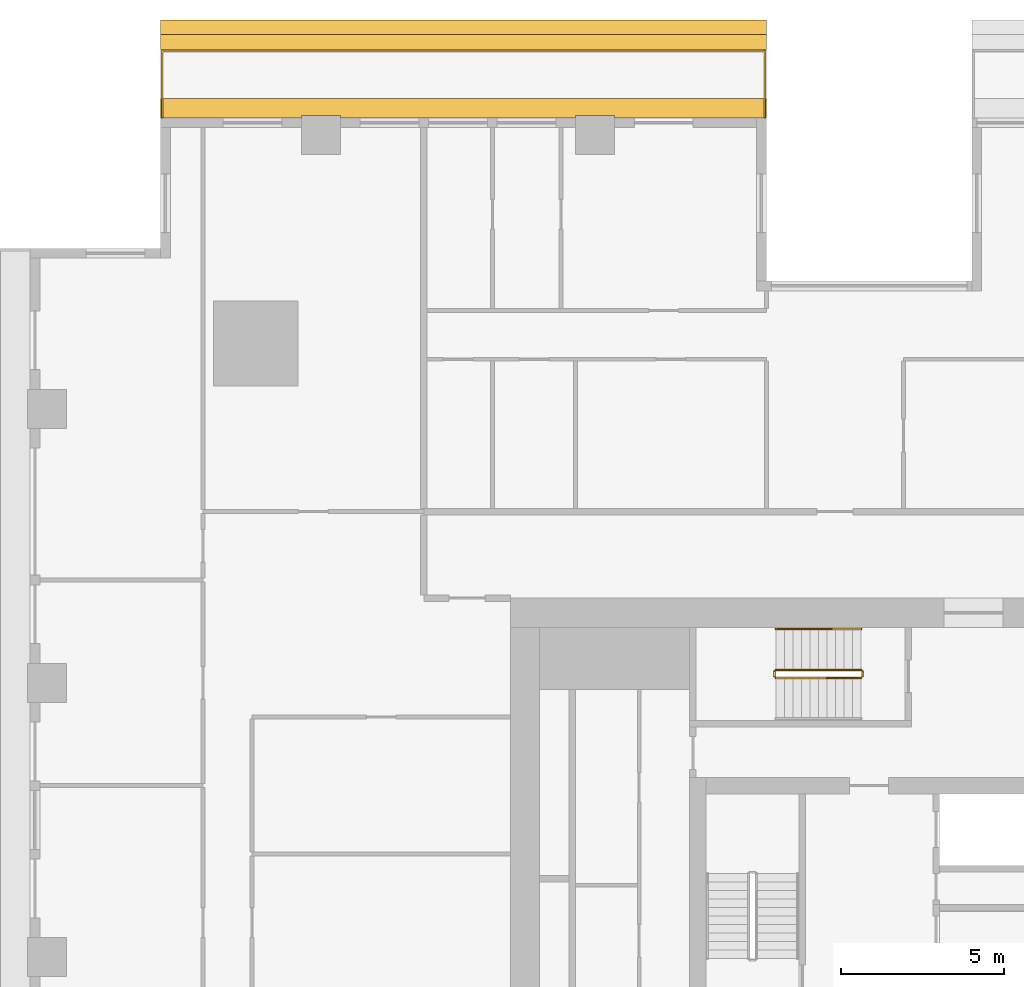
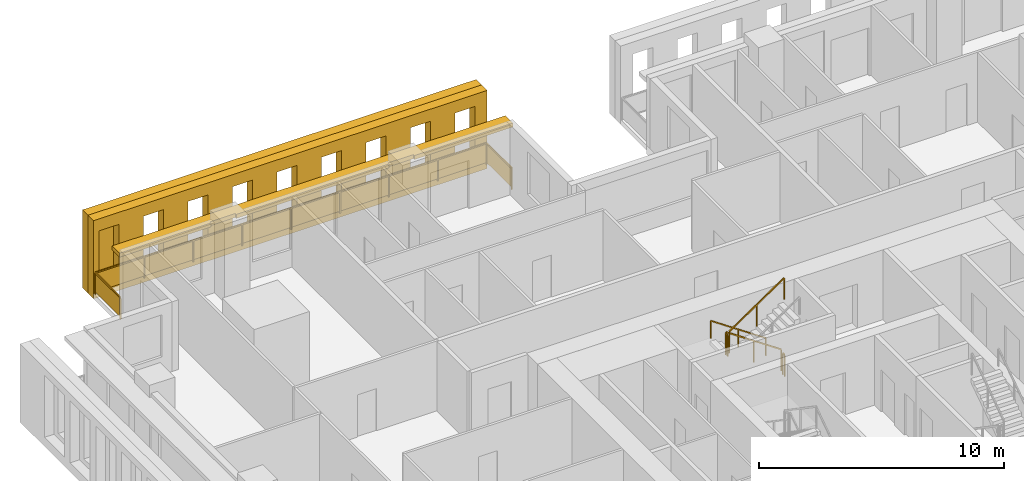
# One storey, part 15 of 16: 6 railings, 3 shading devices.
"""IFC4 building model written with IfcOpenShell, lengths in metres."""

from ifc_helpers import new_model, si_unit, direction, frame, origin, origin_2d, place, context, subcontext, project, spatial, polyline, rectangle, outline, extrude, material, layer, layer_set, type_object, element, save


model = new_model("IFC4")

# Units and contexts
model_context = context("Model", 3, precision=1e-05, world=origin(), true_north=direction((0.0, 1.0)))
body_context = subcontext(model_context, "Body", "Model", "MODEL_VIEW")
ifc_project = project(units=[si_unit("LENGTHUNIT", "METRE"), si_unit("AREAUNIT", "SQUARE_METRE"), si_unit("VOLUMEUNIT", "CUBIC_METRE"), si_unit("PLANEANGLEUNIT", "RADIAN"), si_unit("MASSUNIT", "GRAM", prefix="KILO")], contexts=[model_context])

# Site, building, storey
site_placement = place(None, origin())
site = spatial("IfcSite", under=ifc_project, at=site_placement, CompositionType="ELEMENT")
building_placement = place(site_placement, origin())
building = spatial("IfcBuilding", under=site, at=building_placement, Name="Khepri Terraces", CompositionType="ELEMENT")
storey_placement = place(building_placement, frame((0.0, 0.0, 137.699951171875)))
storey = spatial("IfcBuildingStorey", under=building, at=storey_placement, Name="L32", CompositionType="ELEMENT", Elevation=137.699951171875)

# Railings
ifc_material_1 = material(Name="Stainless steel grade 316", Category="steel")
railing_type_1 = type_object("IfcRailingType", Name="GRD-BAL-1100", PredefinedType="GUARDRAIL", material=ifc_material_1)
railing_1_placement = place(storey_placement, frame((-3.199951171875, 25.719970703125, 0.0)))
element("IfcRailing", 1, at=railing_1_placement, inside=storey, type_object=railing_type_1, Name="Balcony guard L32 N", PredefinedType="GUARDRAIL", context=body_context, shape_type="SweptSolid", body=[
    extrude(rectangle(XDim=0.050048828125, YDim=0.06005859375, at=origin_2d()), frame((0.0, 0.0, 1.070068359375), z_axis=(0.0, 1.0, 0.0), x_axis=(-1.0, 0.0, 0.0)), (0.0, 0.0, 1.0), 2.050048828125),
    extrude(rectangle(XDim=2.0, YDim=0.011962890625, at=origin_2d()), frame((0.0, 1.02490234375, 0.10009765625), z_axis=(0.0, 0.0, 1.0), x_axis=(0.0, 1.0, 0.0)), (0.0, 0.0, 1.0), 0.93994140625),
    extrude(rectangle(XDim=0.050048828125, YDim=0.06005859375, at=origin_2d()), frame((0.0, 2.050048828125, 1.070068359375), z_axis=(-1.0, 0.0, 0.0), x_axis=(0.0, -1.0, 0.0)), (0.0, 0.0, 1.0), 18.469970703125),
    extrude(rectangle(XDim=2.2587890625, YDim=0.011962890625, at=origin_2d()), frame((-1.154296875, 2.050048828125, 0.10009765625), z_axis=(0.0, 0.0, 1.0), x_axis=(-1.0, 0.0, 0.0)), (0.0, 0.0, 1.0), 0.93994140625),
    extrude(rectangle(XDim=2.2587890625, YDim=0.011962890625, at=origin_2d()), frame((-3.463134765625, 2.050048828125, 0.10009765625), z_axis=(0.0, 0.0, 1.0), x_axis=(-1.0, 0.0, 0.0)), (0.0, 0.0, 1.0), 0.93994140625),
    extrude(rectangle(XDim=2.2587890625, YDim=0.011962890625, at=origin_2d()), frame((-5.77197265625, 2.050048828125, 0.10009765625), z_axis=(0.0, 0.0, 1.0), x_axis=(-1.0, 0.0, 0.0)), (0.0, 0.0, 1.0), 0.93994140625),
    extrude(rectangle(XDim=2.2587890625, YDim=0.011962890625, at=origin_2d()), frame((-8.08056640625, 2.050048828125, 0.10009765625), z_axis=(0.0, 0.0, 1.0), x_axis=(-1.0, 0.0, 0.0)), (0.0, 0.0, 1.0), 0.93994140625),
    extrude(rectangle(XDim=2.2587890625, YDim=0.011962890625, at=origin_2d()), frame((-10.389404296875, 2.050048828125, 0.10009765625), z_axis=(0.0, 0.0, 1.0), x_axis=(-1.0, 0.0, 0.0)), (0.0, 0.0, 1.0), 0.93994140625),
    extrude(rectangle(XDim=2.2587890625, YDim=0.011962890625, at=origin_2d()), frame((-12.697998046875, 2.050048828125, 0.10009765625), z_axis=(0.0, 0.0, 1.0), x_axis=(-1.0, 0.0, 0.0)), (0.0, 0.0, 1.0), 0.93994140625),
    extrude(rectangle(XDim=2.2587890625, YDim=0.011962890625, at=origin_2d()), frame((-15.0068359375, 2.050048828125, 0.10009765625), z_axis=(0.0, 0.0, 1.0), x_axis=(-1.0, 0.0, 0.0)), (0.0, 0.0, 1.0), 0.93994140625),
    extrude(rectangle(XDim=2.2587890625, YDim=0.011962890625, at=origin_2d()), frame((-17.315673828125, 2.050048828125, 0.10009765625), z_axis=(0.0, 0.0, 1.0), x_axis=(-1.0, 0.0, 0.0)), (0.0, 0.0, 1.0), 0.93994140625),
    extrude(rectangle(XDim=0.050048828125, YDim=0.06005859375, at=origin_2d()), frame((-18.469970703125, 2.050048828125, 1.070068359375), z_axis=(0.0, -1.0, 0.0), x_axis=(1.0, 0.0, 0.0)), (0.0, 0.0, 1.0), 2.050048828125),
    extrude(rectangle(XDim=2.0, YDim=0.011962890625, at=origin_2d()), frame((-18.469970703125, 1.02490234375, 0.10009765625), z_axis=(0.0, 0.0, 1.0), x_axis=(0.0, -1.0, 0.0)), (0.0, 0.0, 1.0), 0.93994140625),
    extrude(rectangle(XDim=0.050048828125, YDim=0.050048828125, at=origin_2d()), origin(), (0.0, 0.0, 1.0), 1.0400390625),
    extrude(rectangle(XDim=0.050048828125, YDim=0.050048828125, at=origin_2d()), frame((0.0, 2.050048828125, 0.0)), (0.0, 0.0, 1.0), 1.0400390625),
    extrude(rectangle(XDim=0.050048828125, YDim=0.050048828125, at=origin_2d()), frame((-2.308837890625, 2.050048828125, 0.0)), (0.0, 0.0, 1.0), 1.0400390625),
    extrude(rectangle(XDim=0.050048828125, YDim=0.050048828125, at=origin_2d()), frame((-4.617431640625, 2.050048828125, 0.0)), (0.0, 0.0, 1.0), 1.0400390625),
    extrude(rectangle(XDim=0.050048828125, YDim=0.050048828125, at=origin_2d()), frame((-6.92626953125, 2.050048828125, 0.0)), (0.0, 0.0, 1.0), 1.0400390625),
    extrude(rectangle(XDim=0.050048828125, YDim=0.050048828125, at=origin_2d()), frame((-9.23486328125, 2.050048828125, 0.0)), (0.0, 0.0, 1.0), 1.0400390625),
    extrude(rectangle(XDim=0.050048828125, YDim=0.050048828125, at=origin_2d()), frame((-11.543701171875, 2.050048828125, 0.0)), (0.0, 0.0, 1.0), 1.0400390625),
    extrude(rectangle(XDim=0.050048828125, YDim=0.050048828125, at=origin_2d()), frame((-13.8525390625, 2.050048828125, 0.0)), (0.0, 0.0, 1.0), 1.0400390625),
    extrude(rectangle(XDim=0.050048828125, YDim=0.050048828125, at=origin_2d()), frame((-16.1611328125, 2.050048828125, 0.0)), (0.0, 0.0, 1.0), 1.0400390625),
    extrude(rectangle(XDim=0.050048828125, YDim=0.050048828125, at=origin_2d()), frame((-18.469970703125, 2.050048828125, 0.0)), (0.0, 0.0, 1.0), 1.0400390625),
    extrude(rectangle(XDim=0.050048828125, YDim=0.050048828125, at=origin_2d()), frame((-18.469970703125, 0.0, 0.0)), (0.0, 0.0, 1.0), 1.0400390625),
])
ifc_material_2 = material(Name="Stainless steel 316", Category="steel")
railing_type_2 = type_object("IfcRailingType", Name="RL-CORE-GUARD", PredefinedType="GUARDRAIL", material=ifc_material_2)
railing_2_placement = place(storey_placement, frame((-0.25, 8.800048828125, 0.17724609375)))
element("IfcRailing", 2, at=railing_2_placement, inside=storey, type_object=railing_type_2, Name="L32 ST-3 stair guard 1", PredefinedType="GUARDRAIL", context=body_context, shape_type="SweptSolid", body=[
    extrude(rectangle(XDim=0.050048828125, YDim=0.06005859375, at=origin_2d()), frame((0.0, 0.0, 1.070068359375), z_axis=(-0.826240473404, 0.0, 0.563317565952), x_axis=(0.0, -1.0, 0.0)), (0.0, 0.0, 1.0), 3.14697265625),
    extrude(rectangle(XDim=0.050048828125, YDim=0.050048828125, at=origin_2d()), origin(), (0.0, 0.0, 1.0), 1.0400390625),
    extrude(rectangle(XDim=0.050048828125, YDim=0.050048828125, at=origin_2d()), frame((-1.300048828125, 0.0, 0.88623046875)), (0.0, 0.0, 1.0), 1.0400390625),
    extrude(rectangle(XDim=0.050048828125, YDim=0.050048828125, at=origin_2d()), frame((-2.60009765625, 0.0, 1.772705078125)), (0.0, 0.0, 1.0), 1.0400390625),
])
railing_3_placement = place(storey_placement, frame((-2.89990234375, 8.75, 1.949951171875)))
element("IfcRailing", 3, at=railing_3_placement, inside=storey, type_object=railing_type_2, Name="L32 ST-3 stair guard 2", PredefinedType="GUARDRAIL", context=body_context, shape_type="SweptSolid", body=[
    extrude(rectangle(XDim=0.050048828125, YDim=0.06005859375, at=origin_2d()), frame((0.0, 0.0, 1.070068359375), z_axis=(0.0, -1.0, 0.0), x_axis=(1.0, 0.0, 0.0)), (0.0, 0.0, 1.0), 0.14990234375),
    extrude(rectangle(XDim=0.050048828125, YDim=0.050048828125, at=origin_2d()), origin(), (0.0, 0.0, 1.0), 1.0400390625),
    extrude(rectangle(XDim=0.050048828125, YDim=0.050048828125, at=origin_2d()), frame((0.0, -0.14990234375, 0.0)), (0.0, 0.0, 1.0), 1.0400390625),
])
railing_4_placement = place(storey_placement, frame((-2.85009765625, 8.550048828125, 2.12744140625)))
element("IfcRailing", 4, at=railing_4_placement, inside=storey, type_object=railing_type_2, Name="L32 ST-3 stair guard 3", PredefinedType="GUARDRAIL", context=body_context, shape_type="SweptSolid", body=[
    extrude(rectangle(XDim=0.050048828125, YDim=0.06005859375, at=origin_2d()), frame((0.0, 0.0, 1.070068359375), z_axis=(0.826240473404, 0.0, 0.563317565952), x_axis=(0.0, 1.0, 0.0)), (0.0, 0.0, 1.0), 3.14697265625),
    extrude(rectangle(XDim=0.050048828125, YDim=0.050048828125, at=origin_2d()), origin(), (0.0, 0.0, 1.0), 1.0400390625),
    extrude(rectangle(XDim=0.050048828125, YDim=0.050048828125, at=origin_2d()), frame((1.300048828125, 0.0, 0.88623046875)), (0.0, 0.0, 1.0), 1.0400390625),
    extrude(rectangle(XDim=0.050048828125, YDim=0.050048828125, at=origin_2d()), frame((2.60009765625, 0.0, 1.772705078125)), (0.0, 0.0, 1.0), 1.0400390625),
])
railing_5_placement = place(storey_placement, frame((-0.199951171875, 8.75, 0.0)))
element("IfcRailing", 5, at=railing_5_placement, inside=storey, type_object=railing_type_2, Name="L32 ST-3 stair guard 4", PredefinedType="GUARDRAIL", context=body_context, shape_type="SweptSolid", body=[
    extrude(rectangle(XDim=0.050048828125, YDim=0.06005859375, at=origin_2d()), frame((0.0, 0.0, 1.070068359375), z_axis=(0.0, -1.0, 0.0), x_axis=(1.0, 0.0, 0.0)), (0.0, 0.0, 1.0), 0.14990234375),
    extrude(rectangle(XDim=0.050048828125, YDim=0.050048828125, at=origin_2d()), origin(), (0.0, 0.0, 1.0), 1.0400390625),
    extrude(rectangle(XDim=0.050048828125, YDim=0.050048828125, at=origin_2d()), frame((0.0, -0.14990234375, 0.0)), (0.0, 0.0, 1.0), 1.0400390625),
])
railing_type_3 = type_object("IfcRailingType", Name="RL-CORE-HANDRAIL", PredefinedType="HANDRAIL", material=ifc_material_2)
railing_6_placement = place(storey_placement, frame((-0.25, 10.050048828125, 0.17724609375)))
element("IfcRailing", 6, at=railing_6_placement, inside=storey, type_object=railing_type_3, Name="L32 ST-3 stair handrail 1", PredefinedType="HANDRAIL", context=body_context, shape_type="SweptSolid", body=[
    extrude(rectangle(XDim=0.050048828125, YDim=0.050048828125, at=origin_2d()), frame((0.0, 0.0, 0.875), z_axis=(-0.826240473404, 0.0, 0.563317565952), x_axis=(0.0, -1.0, 0.0)), (0.0, 0.0, 1.0), 3.14697265625),
    extrude(rectangle(XDim=0.050048828125, YDim=0.050048828125, at=origin_2d()), origin(), (0.0, 0.0, 1.0), 0.849853515625),
    extrude(rectangle(XDim=0.050048828125, YDim=0.050048828125, at=origin_2d()), frame((-1.300048828125, 0.0, 0.88623046875)), (0.0, 0.0, 1.0), 0.849853515625),
    extrude(rectangle(XDim=0.050048828125, YDim=0.050048828125, at=origin_2d()), frame((-2.60009765625, 0.0, 1.772705078125)), (0.0, 0.0, 1.0), 0.849853515625),
])

# Shading devices
ifc_material_3 = material(Name="Precast concrete C50/60 warm stone", Category="masonry")
shading_device_type_1 = type_object("IfcShadingDeviceType", Name="SCR-CELL-INNER-450", PredefinedType="USERDEFINED", material=ifc_material_3)
shading_device_1_placement = place(storey_placement, frame((-3.14990234375, 27.820068359375, -0.25), z_axis=(0.0, 1.0, 0.0), x_axis=(-1.0, 0.0, 0.0)))
element("IfcShadingDevice", 7, at=shading_device_1_placement, inside=storey, type_object=shading_device_type_1, Name="Cell screen L32 N in", ObjectType="SCREEN", PredefinedType="USERDEFINED", context=body_context, shape_type="SweptSolid", body=[
    extrude(outline(polyline([(0.0, 0.0), (18.570068359375, 0.0), (18.570068359375, 3.89990234375), (0.0, 3.89990234375), (0.0, 0.0)]), holes=[polyline([(0.577392578125, 0.699951171875), (1.5224609375, 0.699951171875), (1.5224609375, 3.300048828125), (0.577392578125, 3.300048828125), (0.577392578125, 0.699951171875)]), polyline([(2.677490234375, 0.699951171875), (3.62255859375, 0.699951171875), (3.62255859375, 3.300048828125), (2.677490234375, 3.300048828125), (2.677490234375, 0.699951171875)]), polyline([(4.777587890625, 0.699951171875), (5.722412109375, 0.699951171875), (5.722412109375, 3.300048828125), (4.777587890625, 3.300048828125), (4.777587890625, 0.699951171875)]), polyline([(6.87744140625, 0.699951171875), (7.822509765625, 0.699951171875), (7.822509765625, 3.300048828125), (6.87744140625, 3.300048828125), (6.87744140625, 0.699951171875)]), polyline([(8.9775390625, 0.699951171875), (9.922607421875, 0.699951171875), (9.922607421875, 3.300048828125), (8.9775390625, 3.300048828125), (8.9775390625, 0.699951171875)]), polyline([(11.077392578125, 0.699951171875), (12.0224609375, 0.699951171875), (12.0224609375, 3.300048828125), (11.077392578125, 3.300048828125), (11.077392578125, 0.699951171875)]), polyline([(13.177490234375, 0.699951171875), (14.12255859375, 0.699951171875), (14.12255859375, 3.300048828125), (13.177490234375, 3.300048828125), (13.177490234375, 0.699951171875)]), polyline([(15.277587890625, 0.699951171875), (16.222412109375, 0.699951171875), (16.222412109375, 3.300048828125), (15.277587890625, 3.300048828125), (15.277587890625, 0.699951171875)]), polyline([(17.37744140625, 0.699951171875), (18.322509765625, 0.699951171875), (18.322509765625, 3.300048828125), (17.37744140625, 3.300048828125), (17.37744140625, 0.699951171875)])]), origin(), (0.0, 0.0, 1.0), 0.449951171875),
])
shading_device_type_2 = type_object("IfcShadingDeviceType", Name="SCR-CELL-OUTER-450", PredefinedType="USERDEFINED", material=ifc_material_3)
shading_device_2_placement = place(storey_placement, frame((-3.14990234375, 28.27001953125, -0.25), z_axis=(0.0, 1.0, 0.0), x_axis=(-1.0, 0.0, 0.0)))
element("IfcShadingDevice", 8, at=shading_device_2_placement, inside=storey, type_object=shading_device_type_2, Name="Cell screen L32 N out", ObjectType="SCREEN", PredefinedType="USERDEFINED", context=body_context, shape_type="SweptSolid", body=[
    extrude(outline(polyline([(0.0, 0.0), (18.570068359375, 0.0), (18.570068359375, 3.89990234375), (0.0, 3.89990234375), (0.0, 0.0)]), holes=[polyline([(0.2275390625, 0.449951171875), (1.87255859375, 0.449951171875), (1.87255859375, 3.550048828125), (0.2275390625, 3.550048828125), (0.2275390625, 0.449951171875)]), polyline([(2.327392578125, 0.449951171875), (3.972412109375, 0.449951171875), (3.972412109375, 3.550048828125), (2.327392578125, 3.550048828125), (2.327392578125, 0.449951171875)]), polyline([(4.427490234375, 0.449951171875), (6.072509765625, 0.449951171875), (6.072509765625, 3.550048828125), (4.427490234375, 3.550048828125), (4.427490234375, 0.449951171875)]), polyline([(6.527587890625, 0.449951171875), (8.172607421875, 0.449951171875), (8.172607421875, 3.550048828125), (6.527587890625, 3.550048828125), (6.527587890625, 0.449951171875)]), polyline([(8.62744140625, 0.449951171875), (10.2724609375, 0.449951171875), (10.2724609375, 3.550048828125), (8.62744140625, 3.550048828125), (8.62744140625, 0.449951171875)]), polyline([(10.7275390625, 0.449951171875), (12.37255859375, 0.449951171875), (12.37255859375, 3.550048828125), (10.7275390625, 3.550048828125), (10.7275390625, 0.449951171875)]), polyline([(12.827392578125, 0.449951171875), (14.472412109375, 0.449951171875), (14.472412109375, 3.550048828125), (12.827392578125, 3.550048828125), (12.827392578125, 0.449951171875)]), polyline([(14.927490234375, 0.449951171875), (16.572509765625, 0.449951171875), (16.572509765625, 3.550048828125), (14.927490234375, 3.550048828125), (14.927490234375, 0.449951171875)])]), origin(), (0.0, 0.0, 1.0), 0.449951171875),
])
ifc_layer = layer(ifc_material_3, 0.199951171875, Name="Precast concrete C50/60 warm stone", Category="masonry")
ifc_layer_set = layer_set([ifc_layer], Name="Precast concrete C50/60 warm stone")
shading_device_type_3 = type_object("IfcShadingDeviceType", Name="SSH-BAND-STONE-200-N", PredefinedType="USERDEFINED", material=ifc_layer_set)
shading_device_3_placement = place(storey_placement, frame((0.0, 0.0, 3.10009765625)))
element("IfcShadingDevice", 9, at=shading_device_3_placement, inside=storey, type_object=shading_device_type_3, Name="Sunshade band L32 N", ObjectType="SUNSHADE", PredefinedType="USERDEFINED", context=body_context, shape_type="SweptSolid", body=[
    extrude(outline(polyline([(-7.800048828125, 25.719970703125), (-3.14990234375, 25.719970703125), (-3.14990234375, 26.320068359375), (-21.719970703125, 26.320068359375), (-21.719970703125, 25.719970703125), (-17.39990234375, 25.719970703125), (-17.39990234375, 25.800048828125), (-16.199951171875, 25.800048828125), (-16.199951171875, 25.719970703125), (-9.0, 25.719970703125), (-9.0, 25.800048828125), (-7.800048828125, 25.800048828125), (-7.800048828125, 25.719970703125)])), origin(), (0.0, 0.0, 1.0), 0.199951171875),
])

save(model, "model.ifc")
